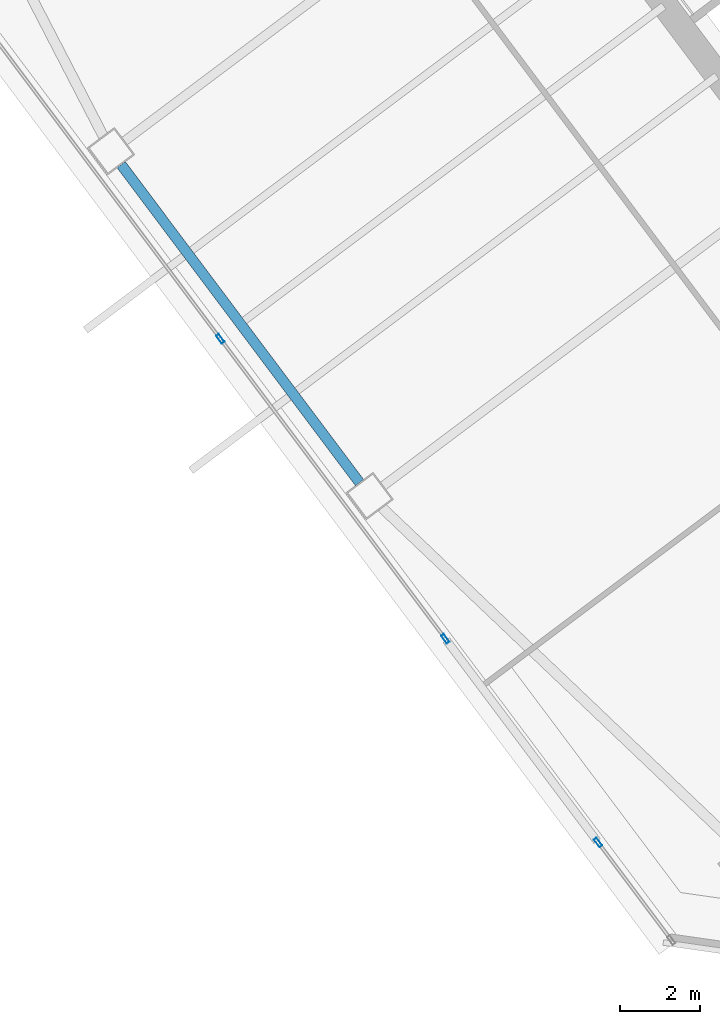
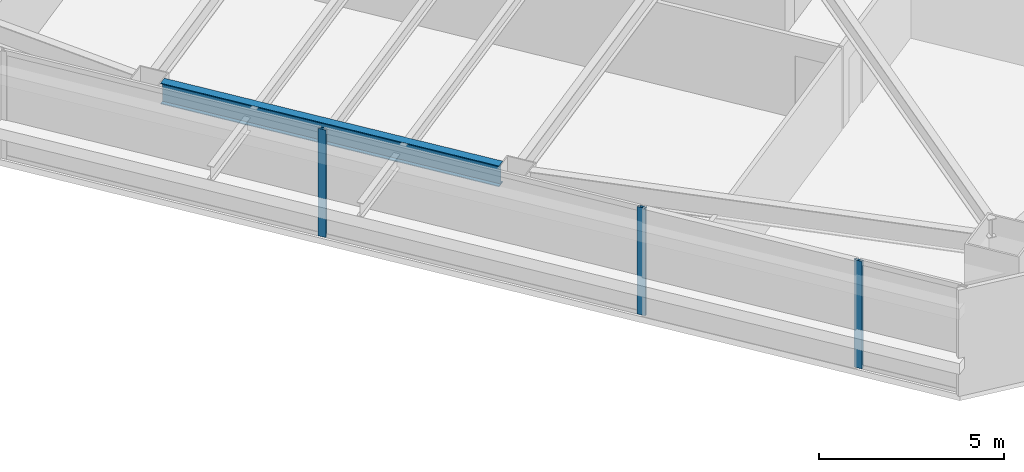
# One storey, part 20 of 48: 3 members, 1 beam, 2 elements without a shape of their own.
"""IFC4 building model written with IfcOpenShell, lengths in metres."""

from ifc_helpers import new_model, si_unit, direction, frame, origin, origin_2d, place, context, subcontext, project, spatial, hollow_rectangle, i_section, extrude, material, material_profile, profile_set, type_object, element, aggregate, save


model = new_model("IFC4")

# Units and contexts
model_context = context("Model", 3, precision=1e-05, world=origin(), true_north=direction((0.0, 1.0)))
body_context = subcontext(model_context, "Body", "Model", "MODEL_VIEW")
ifc_project = project(units=[si_unit("LENGTHUNIT", "METRE"), si_unit("AREAUNIT", "SQUARE_METRE"), si_unit("VOLUMEUNIT", "CUBIC_METRE"), si_unit("PLANEANGLEUNIT", "RADIAN"), si_unit("MASSUNIT", "GRAM", prefix="KILO")], contexts=[model_context])

# Site, building, storey
site_placement = place(None, origin())
site = spatial("IfcSite", under=ifc_project, at=site_placement, CompositionType="ELEMENT")
building_placement = place(site_placement, origin())
building = spatial("IfcBuilding", under=site, at=building_placement, Name="Tashvorn Skyway Center", CompositionType="ELEMENT")
storey_placement = place(building_placement, frame((0.0, 0.0, 53.0)))
storey = spatial("IfcBuildingStorey", under=building, at=storey_placement, Name="L13", CompositionType="ELEMENT", Elevation=53.0)

# Beam
ifc_material_1 = material(Name="Steel ASTM A992 Grade 50", Category="steel")
ifc_material_profile_1 = material_profile(ifc_material_1, i_section(OverallWidth=0.256103515625, OverallDepth=0.693115234375, WebThickness=0.014404296875, FlangeThickness=0.023681640625, at=origin_2d()), Name="W27X114")
ifc_profile_set_1 = profile_set([ifc_material_profile_1], Name="Steel ASTM A992 Grade 50")
beam_type = type_object("IfcBeamType", Name="BM-SPANDREL-W27X114", PredefinedType="SPANDREL", material=ifc_profile_set_1)
beam_placement = place(storey_placement, frame((94.172119140625, 23.35400390625, 3.00341796875), z_axis=(0.599988234018, -0.800008824351, 0.0), x_axis=(0.800008824351, 0.599988234018, 0.0)))
element("IfcBeam", 1, at=beam_placement, inside=storey, type_object=beam_type, Name="Tower 2 L13 Spandrel Beam 11", PredefinedType="SPANDREL", context=body_context, shape_type="SweptSolid", body=[
    extrude(i_section(OverallWidth=0.256103515625, OverallDepth=0.693115234375, WebThickness=0.014404296875, FlangeThickness=0.023681640625, at=origin_2d()), origin(), (0.0, 0.0, 1.0), 9.9599609375),
])

# Curtain wall, member
ifc_material_2 = material(Name="Thermally broken bronze-anodized aluminium 6063-T6", Category="aluminium")
curtain_wall_type = type_object("IfcCurtainWallType", Name="CW-CW-Z1", PredefinedType="NOTDEFINED", material=ifc_material_2)
curtain_wall_1_placement = place(storey_placement, origin())
curtain_wall_1 = element("IfcCurtainWall", 2, at=curtain_wall_1_placement, inside=storey, type_object=curtain_wall_type, Name="Tower 2 L13 West Unitised Curtain Wall Glazing Group 1", PredefinedType="NOTDEFINED")
ifc_material_profile_2 = material_profile(ifc_material_2, hollow_rectangle(XDim=0.0849609375, YDim=0.239990234375, WallThickness=0.0048828125, at=origin_2d()), Name="ALU-MULL-85x240")
ifc_profile_set_2 = profile_set([ifc_material_profile_2], Name="Thermally broken bronze-anodized aluminium 6063-T6")
member_type = type_object("IfcMemberType", Name="CWM-CW-Z1", PredefinedType="MULLION", material=ifc_profile_set_2)
member_1_placement = place(storey_placement, frame((106.12158203125, 6.371337890625, 0.0), z_axis=(0.0, 0.0, 1.0), x_axis=(-0.799996186392, -0.600005084776, 0.0)))
member_1 = element("IfcMember", 3, at=member_1_placement, type_object=member_type, Name="CW-Z1 mullion 2", PredefinedType="MULLION", context=body_context, shape_type="SweptSolid", body=[
    extrude(hollow_rectangle(XDim=0.0849609375, YDim=0.239990234375, WallThickness=0.0048828125, at=origin_2d()), origin(), (0.0, 0.0, 1.0), 3.550048828125),
])
aggregate(curtain_wall_1, [member_1])

# Curtain wall, members
curtain_wall_2_placement = place(storey_placement, origin())
curtain_wall_2 = element("IfcCurtainWall", 4, at=curtain_wall_2_placement, inside=storey, type_object=curtain_wall_type, Name="Tower 2 L13 West Unitised Curtain Wall Glazing Group 2", PredefinedType="NOTDEFINED")
member_2_placement = place(storey_placement, frame((102.29443359375, 11.47412109375, 0.0), z_axis=(0.0, 0.0, 1.0), x_axis=(-0.799999999998, -0.600000000002, 0.0)))
member_2 = element("IfcMember", 5, at=member_2_placement, type_object=member_type, Name="CW-Z1 mullion 1", PredefinedType="MULLION", context=body_context, shape_type="SweptSolid", body=[
    extrude(hollow_rectangle(XDim=0.0849609375, YDim=0.239990234375, WallThickness=0.0048828125, at=origin_2d()), origin(), (0.0, 0.0, 1.0), 3.550048828125),
])
member_3_placement = place(storey_placement, frame((96.656005859375, 18.991943359375, 0.0), z_axis=(0.0, 0.0, 1.0), x_axis=(-0.799999999998, -0.600000000002, 0.0)))
member_3 = element("IfcMember", 6, at=member_3_placement, type_object=member_type, Name="CW-Z1 mullion 2", PredefinedType="MULLION", context=body_context, shape_type="SweptSolid", body=[
    extrude(hollow_rectangle(XDim=0.0849609375, YDim=0.239990234375, WallThickness=0.0048828125, at=origin_2d()), origin(), (0.0, 0.0, 1.0), 3.550048828125),
])
aggregate(curtain_wall_2, [member_2, member_3])

save(model, "model.ifc")
